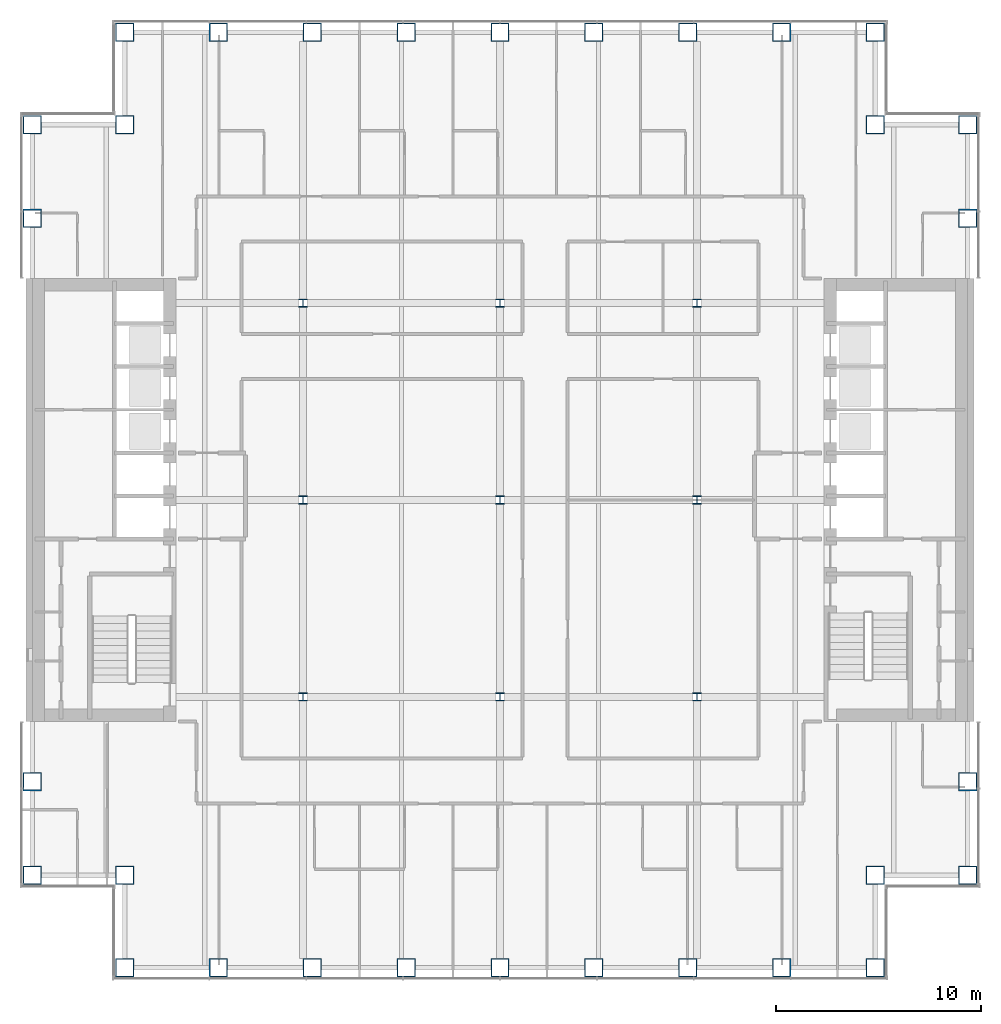
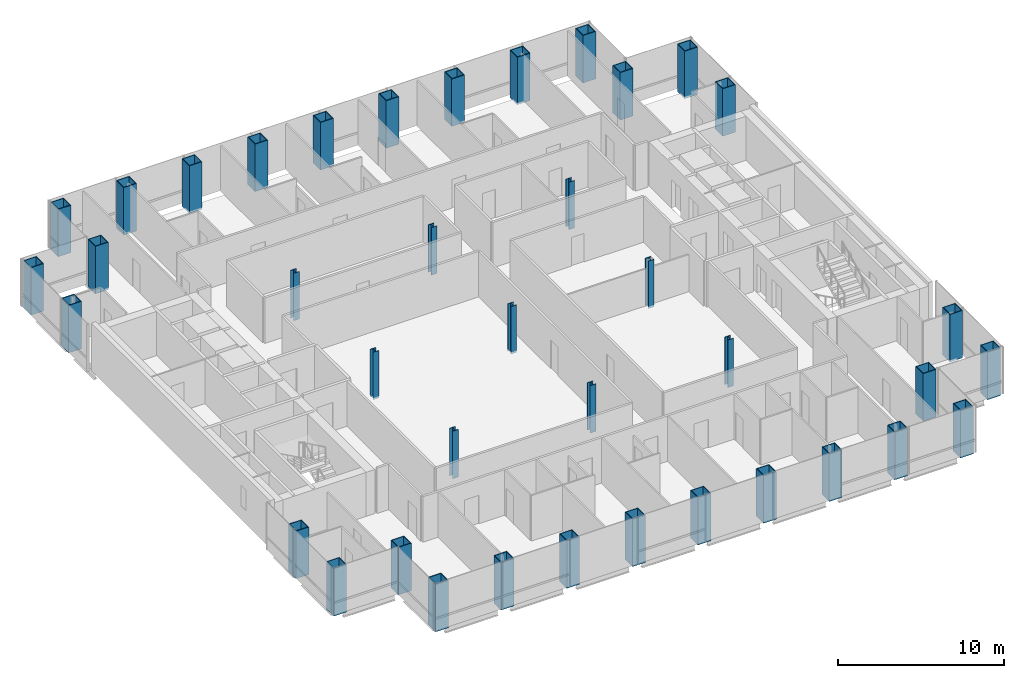
# One storey, part 1 of 16: 39 columns.
"""IFC4 building model written with IfcOpenShell, lengths in metres."""

from ifc_helpers import new_model, si_unit, direction, frame, origin, origin_2d, place, context, subcontext, project, spatial, hollow_rectangle, i_section, extrude, material, material_profile, profile_set, type_object, element, save


model = new_model("IFC4")

# Units and contexts
model_context = context("Model", 3, precision=1e-05, world=origin(), true_north=direction((0.0, 1.0)))
body_context = subcontext(model_context, "Body", "Model", "MODEL_VIEW")
ifc_project = project(units=[si_unit("LENGTHUNIT", "METRE"), si_unit("AREAUNIT", "SQUARE_METRE"), si_unit("VOLUMEUNIT", "CUBIC_METRE"), si_unit("PLANEANGLEUNIT", "RADIAN"), si_unit("MASSUNIT", "GRAM", prefix="KILO")], contexts=[model_context])

# Site, building, storey
site_placement = place(None, origin())
site = spatial("IfcSite", under=ifc_project, at=site_placement, CompositionType="ELEMENT")
building_placement = place(site_placement, origin())
building = spatial("IfcBuilding", under=site, at=building_placement, Name="Cobrizo Arcos Hotel Tower", CompositionType="ELEMENT")
storey_placement = place(building_placement, frame((0.0, 0.0, 92.5)))
storey = spatial("IfcBuildingStorey", under=building, at=storey_placement, Name="L22", CompositionType="ELEMENT", Elevation=92.5)

# Columns
ifc_material_1 = material(Name="Steel ASTM A572 Grade 50", Category="steel")
ifc_material_profile_1 = material_profile(ifc_material_1, hollow_rectangle(XDim=0.89990234375, YDim=0.89990234375, WallThickness=0.050048828125, at=origin_2d()), Name="BOX 900X900X50")
ifc_profile_set_1 = profile_set([ifc_material_profile_1], Name="Steel ASTM A572 Grade 50")
column_type_1 = type_object("IfcColumnType", Name="BOX 900X900X50 column", PredefinedType="COLUMN", material=ifc_profile_set_1)
for number, where, z_axis, x_axis, name in (
    (1, (-18.300048828125, 22.800048828125, -0.14990234375), (0.0, 0.0, 1.0), (1.0, 0.0, 0.0), "Perimeter column C6, L22, no. 00"),
    (2, (-18.300048828125, -22.800048828125, -0.14990234375), (0.0, 0.0, 1.0), (1.0, 0.0, 0.0), "Perimeter column C6, L22, no. 01"),
    (3, (-13.72509765625, 22.800048828125, -0.14990234375), (0.0, 0.0, 1.0), (1.0, 0.0, 0.0), "Perimeter column C6, L22, no. 02"),
    (4, (-13.72509765625, -22.800048828125, -0.14990234375), (0.0, 0.0, 1.0), (1.0, 0.0, 0.0), "Perimeter column C6, L22, no. 03"),
    (5, (-9.14990234375, 22.800048828125, -0.14990234375), (0.0, 0.0, 1.0), (1.0, 0.0, 0.0), "Perimeter column C6, L22, no. 04"),
    (6, (-9.14990234375, -22.800048828125, -0.14990234375), (0.0, 0.0, 1.0), (1.0, 0.0, 0.0), "Perimeter column C6, L22, no. 05"),
    (7, (-4.574951171875, 22.800048828125, -0.14990234375), (0.0, 0.0, 1.0), (1.0, 0.0, 0.0), "Perimeter column C6, L22, no. 06"),
    (8, (-4.574951171875, -22.800048828125, -0.14990234375), (0.0, 0.0, 1.0), (1.0, 0.0, 0.0), "Perimeter column C6, L22, no. 07"),
    (9, (0.0, 22.800048828125, -0.14990234375), (0.0, 0.0, 1.0), (1.0, 0.0, 0.0), "Perimeter column C6, L22, no. 08"),
    (10, (0.0, -22.800048828125, -0.14990234375), (0.0, 0.0, 1.0), (1.0, 0.0, 0.0), "Perimeter column C6, L22, no. 09"),
    (11, (4.574951171875, 22.800048828125, -0.14990234375), (0.0, 0.0, 1.0), (1.0, 0.0, 0.0), "Perimeter column C6, L22, no. 10"),
    (12, (4.574951171875, -22.800048828125, -0.14990234375), (0.0, 0.0, 1.0), (1.0, 0.0, 0.0), "Perimeter column C6, L22, no. 11"),
    (13, (9.14990234375, 22.800048828125, -0.14990234375), (0.0, 0.0, 1.0), (1.0, 0.0, 0.0), "Perimeter column C6, L22, no. 12"),
    (14, (9.14990234375, -22.800048828125, -0.14990234375), (0.0, 0.0, 1.0), (1.0, 0.0, 0.0), "Perimeter column C6, L22, no. 13"),
    (15, (13.72509765625, 22.800048828125, -0.14990234375), (0.0, 0.0, 1.0), (1.0, 0.0, 0.0), "Perimeter column C6, L22, no. 14"),
    (16, (13.72509765625, -22.800048828125, -0.14990234375), (0.0, 0.0, 1.0), (1.0, 0.0, 0.0), "Perimeter column C6, L22, no. 15"),
    (17, (18.300048828125, 22.800048828125, -0.14990234375), (0.0, 0.0, 1.0), (1.0, 0.0, 0.0), "Perimeter column C6, L22, no. 16"),
    (18, (18.300048828125, -22.800048828125, -0.14990234375), (0.0, 0.0, 1.0), (1.0, 0.0, 0.0), "Perimeter column C6, L22, no. 17"),
    (19, (22.800048828125, -18.300048828125, -0.14990234375), (0.0, 0.0, 1.0), (1.0, 0.0, 0.0), "Perimeter column C6, L22, no. 18"),
    (20, (-22.800048828125, -18.300048828125, -0.14990234375), (0.0, 0.0, 1.0), (1.0, 0.0, 0.0), "Perimeter column C6, L22, no. 19"),
    (21, (22.800048828125, -13.72509765625, -0.14990234375), (0.0, 0.0, 1.0), (1.0, 0.0, 0.0), "Perimeter column C6, L22, no. 20"),
    (22, (-22.800048828125, -13.72509765625, -0.14990234375), (0.0, 0.0, 1.0), (1.0, 0.0, 0.0), "Perimeter column C6, L22, no. 21"),
    (23, (22.800048828125, 13.72509765625, -0.14990234375), (0.0, 0.0, 1.0), (1.0, 0.0, 0.0), "Perimeter column C6, L22, no. 22"),
    (24, (-22.800048828125, 13.72509765625, -0.14990234375), (0.0, 0.0, 1.0), (1.0, 0.0, 0.0), "Perimeter column C6, L22, no. 23"),
    (25, (22.800048828125, 18.300048828125, -0.14990234375), (0.0, 0.0, 1.0), (1.0, 0.0, 0.0), "Perimeter column C6, L22, no. 24"),
    (26, (-22.800048828125, 18.300048828125, -0.14990234375), (0.0, 0.0, 1.0), (1.0, 0.0, 0.0), "Perimeter column C6, L22, no. 25"),
    (27, (-18.300048828125, -18.300048828125, -0.14990234375), (0.0, 0.0, 1.0), (1.0, 0.0, 0.0), "Perimeter column C6, L22, no. 26"),
    (28, (-18.300048828125, 18.300048828125, -0.14990234375), (0.0, 0.0, 1.0), (1.0, 0.0, 0.0), "Perimeter column C6, L22, no. 27"),
    (29, (18.300048828125, -18.300048828125, -0.14990234375), (0.0, 0.0, 1.0), (1.0, 0.0, 0.0), "Perimeter column C6, L22, no. 28"),
    (30, (18.300048828125, 18.300048828125, -0.14990234375), (0.0, 0.0, 1.0), (1.0, 0.0, 0.0), "Perimeter column C6, L22, no. 29"),
):
    element("IfcColumn", number, at=place(storey_placement, frame(where, z_axis=z_axis, x_axis=x_axis)), inside=storey, type_object=column_type_1, Name=name, PredefinedType="COLUMN", context=body_context, shape_type="SweptSolid", body=[
        extrude(hollow_rectangle(XDim=0.89990234375, YDim=0.89990234375, WallThickness=0.050048828125, at=origin_2d()), origin(), (0.0, 0.0, 1.0), 3.5),
    ])
ifc_material_2 = material(Name="Steel ASTM A992 Grade 50", Category="steel")
ifc_material_profile_2 = material_profile(ifc_material_2, i_section(OverallWidth=0.398681640625, OverallDepth=0.393798828125, WebThickness=0.022705078125, FlangeThickness=0.03662109375, at=origin_2d()), Name="W14X193")
ifc_profile_set_2 = profile_set([ifc_material_profile_2], Name="Steel ASTM A992 Grade 50")
column_type_2 = type_object("IfcColumnType", Name="W14X193 interior column", PredefinedType="COLUMN", material=ifc_profile_set_2)
for number, where, z_axis, x_axis, name in (
    (31, (-9.60009765625, -9.60009765625, -0.14990234375), (0.0, 0.0, 1.0), (1.0, 0.0, 0.0), "Interior column C7, L22, no. 00"),
    (32, (-9.60009765625, 0.0, -0.14990234375), (0.0, 0.0, 1.0), (1.0, 0.0, 0.0), "Interior column C7, L22, no. 01"),
    (33, (-9.60009765625, 9.60009765625, -0.14990234375), (0.0, 0.0, 1.0), (1.0, 0.0, 0.0), "Interior column C7, L22, no. 02"),
    (34, (0.0, -9.60009765625, -0.14990234375), (0.0, 0.0, 1.0), (1.0, 0.0, 0.0), "Interior column C7, L22, no. 03"),
    (35, (0.0, 0.0, -0.14990234375), (0.0, 0.0, 1.0), (1.0, 0.0, 0.0), "Interior column C7, L22, no. 04"),
    (36, (0.0, 9.60009765625, -0.14990234375), (0.0, 0.0, 1.0), (1.0, 0.0, 0.0), "Interior column C7, L22, no. 05"),
    (37, (9.60009765625, -9.60009765625, -0.14990234375), (0.0, 0.0, 1.0), (1.0, 0.0, 0.0), "Interior column C7, L22, no. 06"),
    (38, (9.60009765625, 0.0, -0.14990234375), (0.0, 0.0, 1.0), (1.0, 0.0, 0.0), "Interior column C7, L22, no. 07"),
    (39, (9.60009765625, 9.60009765625, -0.14990234375), (0.0, 0.0, 1.0), (1.0, 0.0, 0.0), "Interior column C7, L22, no. 08"),
):
    element("IfcColumn", number, at=place(storey_placement, frame(where, z_axis=z_axis, x_axis=x_axis)), inside=storey, type_object=column_type_2, Name=name, PredefinedType="COLUMN", context=body_context, shape_type="SweptSolid", body=[
        extrude(i_section(OverallWidth=0.398681640625, OverallDepth=0.393798828125, WebThickness=0.022705078125, FlangeThickness=0.03662109375, at=origin_2d()), origin(), (0.0, 0.0, 1.0), 3.5),
    ])

save(model, "model.ifc")
